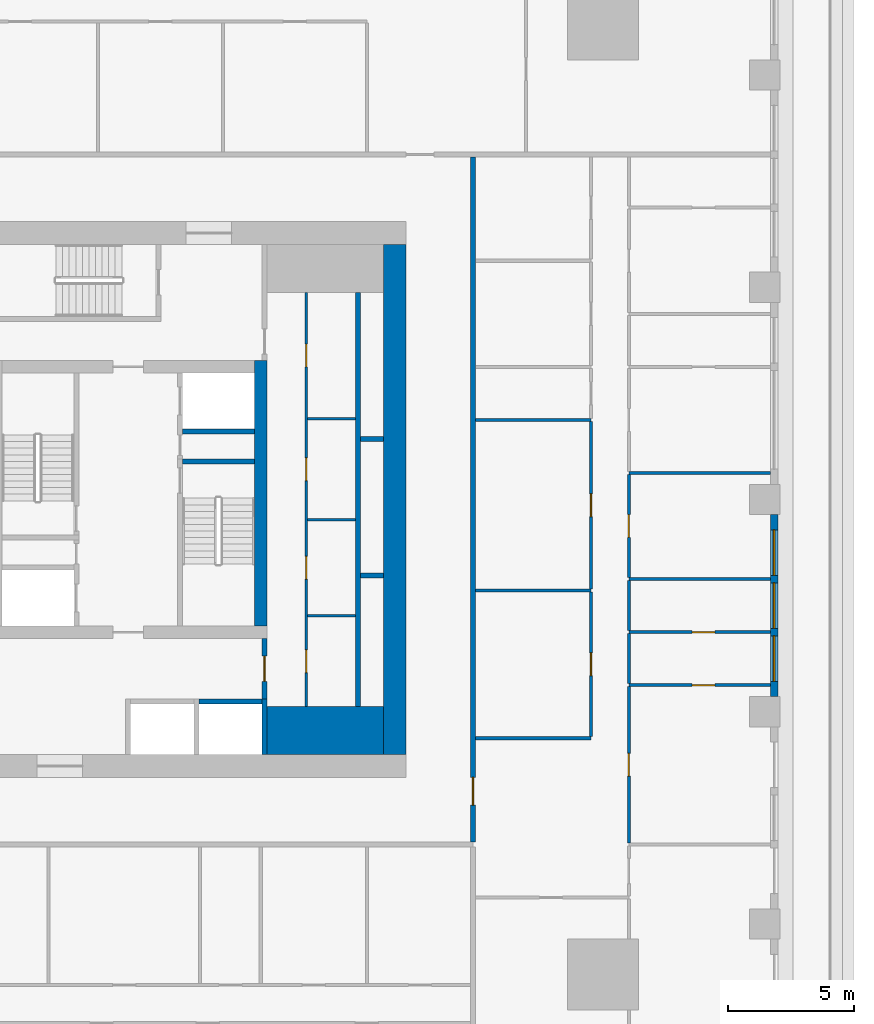
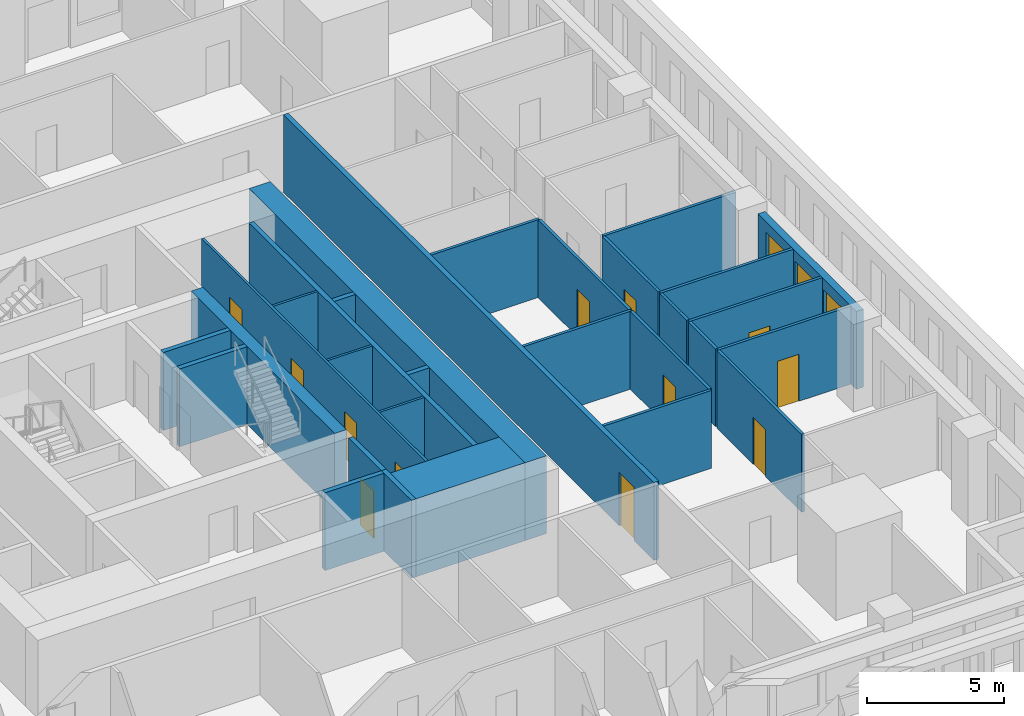
# One storey, part 5 of 14: 30 walls, 12 doors, 3 windows, 15 openings.
"""IFC4 building model written with IfcOpenShell, lengths in metres."""

from ifc_helpers import new_model, si_unit, direction, frame, frame_2d, origin, place, context, subcontext, project, spatial, rectangle, extrude, material, layer, layer_set, type_object, element, fill, save


model = new_model("IFC4")

# Units and contexts
model_context = context("Model", 3, precision=1e-05, world=origin(), true_north=direction((0.0, 1.0)))
body_context = subcontext(model_context, "Body", "Model", "MODEL_VIEW")
ifc_project = project(units=[si_unit("LENGTHUNIT", "METRE"), si_unit("AREAUNIT", "SQUARE_METRE"), si_unit("VOLUMEUNIT", "CUBIC_METRE"), si_unit("PLANEANGLEUNIT", "RADIAN"), si_unit("MASSUNIT", "GRAM", prefix="KILO")], contexts=[model_context])

# Site, building, storey
site_placement = place(None, origin())
site = spatial("IfcSite", under=ifc_project, at=site_placement, CompositionType="ELEMENT")
building_placement = place(site_placement, origin())
building = spatial("IfcBuilding", under=site, at=building_placement, Name="Khepri Terraces", CompositionType="ELEMENT")
storey_placement = place(building_placement, frame((0.0, 0.0, 114.300048828125)))
storey = spatial("IfcBuildingStorey", under=building, at=storey_placement, Name="L27", CompositionType="ELEMENT", Elevation=114.300048828125)

# Walls
ifc_material_1 = material(Name="Concrete C70/85", Category="concrete")
ifc_layer_1 = layer(ifc_material_1, 1.89990234375, Name="Concrete C70/85", Category="concrete")
ifc_layer_set_1 = layer_set([ifc_layer_1], Name="Concrete C70/85")
wall_type_1 = type_object("IfcWallType", Name="Core wall 1900 C70/85", PredefinedType="SHEAR", material=ifc_layer_set_1)
wall_1_placement = place(storey_placement, frame((5.5, -9.14990234375, 0.0), z_axis=(0.0, 0.0, 1.0), x_axis=(1.0, 0.0, 0.0)))
element("IfcWall", 1, at=wall_1_placement, inside=storey, type_object=wall_type_1, Name="Core wall PR02 L27", PredefinedType="SHEAR", context=body_context, shape_type="SweptSolid", body=[
    extrude(rectangle(XDim=4.60009765625, YDim=1.89990234375, at=frame_2d((2.300048828125, 0.0))), origin(), (0.0, 0.0, 1.0), 3.47998046875),
])
ifc_layer_2 = layer(ifc_material_1, 0.199951171875, Name="Concrete C70/85", Category="concrete")
ifc_layer_set_2 = layer_set([ifc_layer_2], Name="Concrete C70/85")
wall_type_2 = type_object("IfcWallType", Name="Core wall 200 C70/85", PredefinedType="SHEAR", material=ifc_layer_set_2)
wall_2_placement = place(storey_placement, frame((2.14990234375, 1.5, 0.0), z_axis=(0.0, 0.0, 1.0), x_axis=(1.0, 0.0, 0.0)))
element("IfcWall", 2, at=wall_2_placement, inside=storey, type_object=wall_type_2, Name="Core wall ST04 L27", PredefinedType="SHEAR", context=body_context, shape_type="SweptSolid", body=[
    extrude(rectangle(XDim=2.85009765625, YDim=0.199951171875, at=frame_2d((1.425048828125, 0.0))), origin(), (0.0, 0.0, 1.0), 3.47998046875),
])
wall_3_placement = place(storey_placement, frame((5.39990234375, -10.10009765625, 0.0), z_axis=(0.0, 0.0, 1.0), x_axis=(0.0, 1.0, 0.0)))
element("IfcWall", 3, at=wall_3_placement, inside=storey, type_object=wall_type_2, Name="Core wall SH03 L27", PredefinedType="SHEAR", context=body_context, shape_type="SweptSolid", body=[
    extrude(rectangle(XDim=2.2001953125, YDim=0.199951171875, at=frame_2d((1.10009765625, 0.0))), origin(), (0.0, 0.0, 1.0), 3.47998046875),
])
wall_4_placement = place(storey_placement, frame((9.10009765625, -8.199951171875, 0.0), z_axis=(0.0, 0.0, 1.0), x_axis=(0.0, 1.0, 0.0)))
element("IfcWall", 4, at=wall_4_placement, inside=storey, type_object=wall_type_2, Name="Core wall SH05 L27", PredefinedType="SHEAR", context=body_context, shape_type="SweptSolid", body=[
    extrude(rectangle(XDim=16.39990234375, YDim=0.199951171875, at=frame_2d((8.199951171875, 0.0))), origin(), (0.0, 0.0, 1.0), 3.47998046875),
])
wall_5_placement = place(storey_placement, frame((2.800048828125, -8.0, 0.0), z_axis=(0.0, 0.0, 1.0), x_axis=(1.0, 0.0, 0.0)))
element("IfcWall", 5, at=wall_5_placement, inside=storey, type_object=wall_type_2, Name="Core wall SH07 L27", PredefinedType="SHEAR", context=body_context, shape_type="SweptSolid", body=[
    extrude(rectangle(XDim=2.5, YDim=0.199951171875, at=frame_2d((1.25, 0.0))), origin(), (0.0, 0.0, 1.0), 3.47998046875),
])
for number, where, z_axis, x_axis, name in (
    (6, (9.199951171875, -3.0, 0.0), (0.0, 0.0, 1.0), (1.0, 0.0, 0.0), "Core wall SH11 L27"),
    (7, (9.199951171875, 2.39990234375, 0.0), (0.0, 0.0, 1.0), (1.0, 0.0, 0.0), "Core wall SH16 L27"),
):
    element("IfcWall", number, at=place(storey_placement, frame(where, z_axis=z_axis, x_axis=x_axis)), inside=storey, type_object=wall_type_2, Name=name, PredefinedType="SHEAR", context=body_context, shape_type="SweptSolid", body=[
        extrude(rectangle(XDim=0.900146484375, YDim=0.199951171875, at=frame_2d((0.4501953125, 0.0))), origin(), (0.0, 0.0, 1.0), 3.47998046875),
    ])
wall_6_placement = place(storey_placement, frame((2.14990234375, 2.699951171875, 0.0), z_axis=(0.0, 0.0, 1.0), x_axis=(1.0, 0.0, 0.0)))
element("IfcWall", 8, at=wall_6_placement, inside=storey, type_object=wall_type_2, Name="Core wall SH18 L27", PredefinedType="SHEAR", context=body_context, shape_type="SweptSolid", body=[
    extrude(rectangle(XDim=2.85009765625, YDim=0.199951171875, at=frame_2d((1.425048828125, 0.0))), origin(), (0.0, 0.0, 1.0), 3.47998046875),
])
ifc_layer_3 = layer(ifc_material_1, 0.5, Name="Concrete C70/85", Category="concrete")
ifc_layer_set_3 = layer_set([ifc_layer_3], Name="Concrete C70/85")
wall_type_3 = type_object("IfcWallType", Name="Core wall 500 C70/85", PredefinedType="SHEAR", material=ifc_layer_set_3)
wall_7_placement = place(storey_placement, frame((5.25, -5.0, 0.0), z_axis=(0.0, 0.0, 1.0), x_axis=(0.0, 1.0, 0.0)))
element("IfcWall", 9, at=wall_7_placement, inside=storey, type_object=wall_type_3, Name="Core wall BX03 L27", PredefinedType="SHEAR", context=body_context, shape_type="SweptSolid", body=[
    extrude(rectangle(XDim=10.5, YDim=0.5, at=frame_2d((5.25, 0.0))), origin(), (0.0, 0.0, 1.0), 3.47998046875),
])
ifc_layer_4 = layer(ifc_material_1, 0.89990234375, Name="Concrete C70/85", Category="concrete")
ifc_layer_set_4 = layer_set([ifc_layer_4], Name="Concrete C70/85")
wall_type_4 = type_object("IfcWallType", Name="Core wall 900 C70/85", PredefinedType="SHEAR", material=ifc_layer_set_4)
wall_8_placement = place(storey_placement, frame((10.550048828125, -10.10009765625, 0.0), z_axis=(0.0, 0.0, 1.0), x_axis=(0.0, 1.0, 0.0)))
element("IfcWall", 10, at=wall_8_placement, inside=storey, type_object=wall_type_4, Name="Core wall OW-E L27", PredefinedType="SHEAR", context=body_context, shape_type="SweptSolid", body=[
    extrude(rectangle(XDim=20.2001953125, YDim=0.89990234375, at=frame_2d((10.10009765625, 0.0))), origin(), (0.0, 0.0, 1.0), 3.47998046875),
])

# Wall, openings, doors
ifc_material_2 = material(Name="Fire-rated gypsum board partition")
ifc_layer_5 = layer(ifc_material_2, 0.10009765625, Name="Fire-rated gypsum board partition")
ifc_layer_set_5 = layer_set([ifc_layer_5], Name="Fire-rated gypsum board partition")
wall_type_5 = type_object("IfcWallType", Name="WL-CORE-PART-100", PredefinedType="PARTITIONING", material=ifc_layer_set_5)
wall_9_placement = place(storey_placement, frame((7.050048828125, -8.199951171875, 0.0), z_axis=(0.0, 0.0, 1.0), x_axis=(0.0, 1.0, 0.0)))
wall_9 = element("IfcWall", 11, at=wall_9_placement, inside=storey, type_object=wall_type_5, Name="Core partition PT02 L27", PredefinedType="PARTITIONING", context=body_context, shape_type="SweptSolid", body=[
    extrude(rectangle(XDim=16.39990234375, YDim=0.10009765625, at=frame_2d((8.199951171875, 0.0))), origin(), (0.0, 0.0, 1.0), 3.47998046875),
])
opening_1_placement = place(wall_9_placement, frame((1.35009765625, 0.0, 0.0)))
opening_1 = element("IfcOpeningElement", 12, at=opening_1_placement, cuts=wall_9, Name="Opening L27-C22", PredefinedType="OPENING", context=body_context, shape_type="SweptSolid", body=[
    extrude(rectangle(XDim=0.89990234375, YDim=2.10009765625, at=frame_2d((0.449951171875, 1.050048828125))), frame((0.0, 0.06005859375, 0.0), z_axis=(0.0, -1.0, 0.0), x_axis=(1.0, 0.0, 0.0)), (0.0, 0.0, 1.0), 0.1201171875),
])
opening_2_placement = place(wall_9_placement, frame((5.050048828125, 0.0, 0.0)))
opening_2 = element("IfcOpeningElement", 13, at=opening_2_placement, cuts=wall_9, Name="Opening L27-C23", PredefinedType="OPENING", context=body_context, shape_type="SweptSolid", body=[
    extrude(rectangle(XDim=0.89990234375, YDim=2.10009765625, at=frame_2d((0.449951171875, 1.050048828125))), frame((0.0, 0.06005859375, 0.0), z_axis=(0.0, -1.0, 0.0), x_axis=(1.0, 0.0, 0.0)), (0.0, 0.0, 1.0), 0.1201171875),
])
opening_3_placement = place(wall_9_placement, frame((8.949951171875, 0.0, 0.0)))
opening_3 = element("IfcOpeningElement", 14, at=opening_3_placement, cuts=wall_9, Name="Opening L27-C24", PredefinedType="OPENING", context=body_context, shape_type="SweptSolid", body=[
    extrude(rectangle(XDim=0.89990234375, YDim=2.10009765625, at=frame_2d((0.449951171875, 1.050048828125))), frame((0.0, 0.06005859375, 0.0), z_axis=(0.0, -1.0, 0.0), x_axis=(1.0, 0.0, 0.0)), (0.0, 0.0, 1.0), 0.1201171875),
])
opening_4_placement = place(wall_9_placement, frame((13.449951171875, 0.0, 0.0)))
opening_4 = element("IfcOpeningElement", 15, at=opening_4_placement, cuts=wall_9, Name="Opening L27-C25", PredefinedType="OPENING", context=body_context, shape_type="SweptSolid", body=[
    extrude(rectangle(XDim=0.89990234375, YDim=2.10009765625, at=frame_2d((0.449951171875, 1.050048828125))), frame((0.0, 0.06005859375, 0.0), z_axis=(0.0, -1.0, 0.0), x_axis=(1.0, 0.0, 0.0)), (0.0, 0.0, 1.0), 0.1201171875),
])
ifc_material_3 = material(Name="Painted steel", Category="steel")
door_type_1 = type_object("IfcDoorType", Name="DR-CORE-SERVICE-900", OperationType="NOTDEFINED", PredefinedType="DOOR", material=ifc_material_3)
door_1_placement = place(opening_1_placement, frame((0.89990234375, 0.0, 0.0), z_axis=(0.0, 0.0, 1.0), x_axis=(-1.0, 0.0, 0.0)))
door_1 = element("IfcDoor", 16, at=door_1_placement, inside=storey, type_object=door_type_1, Name="Service room door L27-C22", OperationType="SINGLE_SWING_RIGHT", OverallHeight=2.10009765625, OverallWidth=0.89990234375, PredefinedType="DOOR", context=body_context, shape_type="SweptSolid", body=[
    extrude(rectangle(XDim=0.89990234375, YDim=2.10009765625, at=frame_2d((0.449951171875, 1.050048828125))), frame((0.0, 0.02490234375, 0.0), z_axis=(0.0, -1.0, 0.0), x_axis=(1.0, 0.0, 0.0)), (0.0, 0.0, 1.0), 0.050048828125),
])
fill(opening_1, door_1)
door_2_placement = place(opening_2_placement, frame((0.89990234375, 0.0, 0.0), z_axis=(0.0, 0.0, 1.0), x_axis=(-1.0, 0.0, 0.0)))
door_2 = element("IfcDoor", 17, at=door_2_placement, inside=storey, type_object=door_type_1, Name="Service room door L27-C23", OperationType="SINGLE_SWING_RIGHT", OverallHeight=2.10009765625, OverallWidth=0.89990234375, PredefinedType="DOOR", context=body_context, shape_type="SweptSolid", body=[
    extrude(rectangle(XDim=0.89990234375, YDim=2.10009765625, at=frame_2d((0.449951171875, 1.050048828125))), frame((0.0, 0.02490234375, 0.0), z_axis=(0.0, -1.0, 0.0), x_axis=(1.0, 0.0, 0.0)), (0.0, 0.0, 1.0), 0.050048828125),
])
fill(opening_2, door_2)
door_3_placement = place(opening_3_placement, frame((0.89990234375, 0.0, 0.0), z_axis=(0.0, 0.0, 1.0), x_axis=(-1.0, 0.0, 0.0)))
door_3 = element("IfcDoor", 18, at=door_3_placement, inside=storey, type_object=door_type_1, Name="Service room door L27-C24", OperationType="SINGLE_SWING_LEFT", OverallHeight=2.10009765625, OverallWidth=0.89990234375, PredefinedType="DOOR", context=body_context, shape_type="SweptSolid", body=[
    extrude(rectangle(XDim=0.89990234375, YDim=2.10009765625, at=frame_2d((0.449951171875, 1.050048828125))), frame((0.0, 0.02490234375, 0.0), z_axis=(0.0, -1.0, 0.0), x_axis=(1.0, 0.0, 0.0)), (0.0, 0.0, 1.0), 0.050048828125),
])
fill(opening_3, door_3)
door_4_placement = place(opening_4_placement, frame((0.89990234375, 0.0, 0.0), z_axis=(0.0, 0.0, 1.0), x_axis=(-1.0, 0.0, 0.0)))
door_4 = element("IfcDoor", 19, at=door_4_placement, inside=storey, type_object=door_type_1, Name="Service room door L27-C25", OperationType="SINGLE_SWING_LEFT", OverallHeight=2.10009765625, OverallWidth=0.89990234375, PredefinedType="DOOR", context=body_context, shape_type="SweptSolid", body=[
    extrude(rectangle(XDim=0.89990234375, YDim=2.10009765625, at=frame_2d((0.449951171875, 1.050048828125))), frame((0.0, 0.02490234375, 0.0), z_axis=(0.0, -1.0, 0.0), x_axis=(1.0, 0.0, 0.0)), (0.0, 0.0, 1.0), 0.050048828125),
])
fill(opening_4, door_4)

# Walls
for number, where, z_axis, x_axis, name in (
    (20, (7.10009765625, -4.60009765625, 0.0), (0.0, 0.0, 1.0), (1.0, 0.0, 0.0), "Core partition PT04 L27"),
    (21, (7.10009765625, -0.800048828125, 0.0), (0.0, 0.0, 1.0), (1.0, 0.0, 0.0), "Core partition PT05 L27"),
    (22, (7.10009765625, 3.199951171875, 0.0), (0.0, 0.0, 1.0), (1.0, 0.0, 0.0), "Core partition PT06 L27"),
):
    element("IfcWall", number, at=place(storey_placement, frame(where, z_axis=z_axis, x_axis=x_axis)), inside=storey, type_object=wall_type_5, Name=name, PredefinedType="PARTITIONING", context=body_context, shape_type="SweptSolid", body=[
        extrude(rectangle(XDim=1.89990234375, YDim=0.10009765625, at=frame_2d((0.949951171875, 0.0))), origin(), (0.0, 0.0, 1.0), 3.47998046875),
    ])

# Wall, opening, door
ifc_layer_6 = layer(ifc_material_2, 0.199951171875, Name="Fire-rated gypsum board partition")
ifc_layer_set_6 = layer_set([ifc_layer_6], Name="Fire-rated gypsum board partition")
wall_type_6 = type_object("IfcWallType", Name="WL-CORE-PART-200", PredefinedType="PARTITIONING", material=ifc_layer_set_6)
wall_10_placement = place(storey_placement, frame((5.39990234375, -7.89990234375, 0.0), z_axis=(0.0, 0.0, 1.0), x_axis=(0.0, 1.0, 0.0)))
wall_10 = element("IfcWall", 23, at=wall_10_placement, inside=storey, type_object=wall_type_6, Name="Core partition PT03 L27", PredefinedType="PARTITIONING", context=body_context, shape_type="SweptSolid", body=[
    extrude(rectangle(XDim=2.39990234375, YDim=0.199951171875, at=frame_2d((1.199951171875, 0.0))), origin(), (0.0, 0.0, 1.0), 3.47998046875),
])
opening_5_placement = place(wall_10_placement, frame((0.699951171875, 0.0, 0.0)))
opening_5 = element("IfcOpeningElement", 24, at=opening_5_placement, cuts=wall_10, Name="Opening L27-C19", PredefinedType="OPENING", context=body_context, shape_type="SweptSolid", body=[
    extrude(rectangle(XDim=1.0, YDim=2.10009765625, at=frame_2d((0.5, 1.050048828125))), frame((0.0, 0.10986328125, 0.0), z_axis=(0.0, -1.0, 0.0), x_axis=(1.0, 0.0, 0.0)), (0.0, 0.0, 1.0), 0.219970703125),
])
door_type_2 = type_object("IfcDoorType", Name="DR-CORE-LOBBY-1000", OperationType="NOTDEFINED", PredefinedType="DOOR", material=ifc_material_3)
door_5_placement = place(opening_5_placement, origin())
door_5 = element("IfcDoor", 25, at=door_5_placement, inside=storey, type_object=door_type_2, Name="Lobby door L27-C19", OperationType="SINGLE_SWING_RIGHT", OverallHeight=2.10009765625, OverallWidth=1.0, PredefinedType="DOOR", context=body_context, shape_type="SweptSolid", body=[
    extrude(rectangle(XDim=1.0, YDim=2.10009765625, at=frame_2d((0.5, 1.050048828125))), frame((0.0, 0.02490234375, 0.0), z_axis=(0.0, -1.0, 0.0), x_axis=(1.0, 0.0, 0.0)), (0.0, 0.0, 1.0), 0.050048828125),
])
fill(opening_5, door_5)

ifc_material_4 = material(Name="Fire-rated gypsum plasterboard partition, mineral wool")
ifc_layer_7 = layer(ifc_material_4, 0.199951171875, Name="Fire-rated gypsum plasterboard partition, mineral wool")
ifc_layer_set_7 = layer_set([ifc_layer_7], Name="Fire-rated gypsum plasterboard partition, mineral wool")
wall_type_7 = type_object("IfcWallType", Name="WL-CORR-200", PredefinedType="PARTITIONING", material=ifc_layer_set_7)
wall_11_placement = place(storey_placement, frame((13.64990234375, -13.550048828125, 0.0), z_axis=(0.0, 0.0, 1.0), x_axis=(0.0, 1.0, 0.0)))
wall_11 = element("IfcWall", 26, at=wall_11_placement, inside=storey, type_object=wall_type_7, Name="Partition P-027 L27", PredefinedType="PARTITIONING", context=body_context, shape_type="SweptSolid", body=[
    extrude(rectangle(XDim=27.10009765625, YDim=0.199951171875, at=frame_2d((13.550048828125, 0.0))), origin(), (0.0, 0.0, 1.0), 3.47998046875),
])
opening_6_placement = place(wall_11_placement, frame((1.449951171875, 0.0, 0.0)))
opening_6 = element("IfcOpeningElement", 27, at=opening_6_placement, cuts=wall_11, Name="Opening D1", PredefinedType="OPENING", context=body_context, shape_type="SweptSolid", body=[
    extrude(rectangle(XDim=1.10009765625, YDim=2.39990234375, at=frame_2d((0.550048828125, 1.199951171875))), frame((0.0, 0.10986328125, 0.0), z_axis=(0.0, -1.0, 0.0), x_axis=(1.0, 0.0, 0.0)), (0.0, 0.0, 1.0), 0.219970703125),
])
ifc_material_5 = material(Name="Solid-core timber door leaf, flat entrance door", Category="wood")
door_type_3 = type_object("IfcDoorType", Name="DR-ENT-1100", OperationType="NOTDEFINED", PredefinedType="DOOR", material=ifc_material_5)
door_6_placement = place(opening_6_placement, frame((1.10009765625, 0.0, 0.0), z_axis=(0.0, 0.0, 1.0), x_axis=(-1.0, 0.0, 0.0)))
door_6 = element("IfcDoor", 28, at=door_6_placement, inside=storey, type_object=door_type_3, Name="Flat B1 entrance door", OperationType="SINGLE_SWING_RIGHT", OverallHeight=2.39990234375, OverallWidth=1.10009765625, PredefinedType="DOOR", context=body_context, shape_type="SweptSolid", body=[
    extrude(rectangle(XDim=1.10009765625, YDim=2.39990234375, at=frame_2d((0.550048828125, 1.199951171875))), frame((0.0, 0.02490234375, 0.0), z_axis=(0.0, -1.0, 0.0), x_axis=(1.0, 0.0, 0.0)), (0.0, 0.0, 1.0), 0.050048828125),
])
fill(opening_6, door_6)

# Wall, openings, windows
ifc_material_6 = material(Name="Precast concrete C50/60 warm stone", Category="masonry")
ifc_layer_8 = layer(ifc_material_6, 0.300048828125, Name="Precast concrete C50/60 warm stone", Category="masonry")
ifc_layer_set_8 = layer_set([ifc_layer_8], Name="Precast concrete C50/60 warm stone")
wall_type_8 = type_object("IfcWallType", Name="WL-EXT-PRECAST-300", PredefinedType="STANDARD", material=ifc_layer_set_8)
wall_12_placement = place(storey_placement, frame((25.570068359375, -7.800048828125, 0.0), z_axis=(0.0, 0.0, 1.0), x_axis=(0.0, 1.0, 0.0)))
wall_12 = element("IfcWall", 29, at=wall_12_placement, inside=storey, type_object=wall_type_8, Name="External wall L27 E", PredefinedType="STANDARD", context=body_context, shape_type="SweptSolid", body=[
    extrude(rectangle(XDim=7.199951171875, YDim=0.300048828125, at=frame_2d((3.60009765625, 0.0))), origin(), (0.0, 0.0, 1.0), 3.47998046875),
])
opening_7_placement = place(wall_12_placement, frame((0.60009765625, 0.0, 0.89990234375)))
opening_7 = element("IfcOpeningElement", 30, at=opening_7_placement, cuts=wall_12, Name="Opening W1", PredefinedType="OPENING", context=body_context, shape_type="SweptSolid", body=[
    extrude(rectangle(XDim=1.800048828125, YDim=2.10009765625, at=frame_2d((0.89990234375, 1.050048828125))), frame((0.0, 0.16015625, 0.0), z_axis=(0.0, -1.0, 0.0), x_axis=(1.0, 0.0, 0.0)), (0.0, 0.0, 1.0), 0.320068359375),
])
opening_8_placement = place(wall_12_placement, frame((2.699951171875, 0.0, 0.89990234375)))
opening_8 = element("IfcOpeningElement", 31, at=opening_8_placement, cuts=wall_12, Name="Opening W1", PredefinedType="OPENING", context=body_context, shape_type="SweptSolid", body=[
    extrude(rectangle(XDim=1.800048828125, YDim=2.10009765625, at=frame_2d((0.89990234375, 1.050048828125))), frame((0.0, 0.16015625, 0.0), z_axis=(0.0, -1.0, 0.0), x_axis=(1.0, 0.0, 0.0)), (0.0, 0.0, 1.0), 0.320068359375),
])
opening_9_placement = place(wall_12_placement, frame((4.800048828125, 0.0, 0.89990234375)))
opening_9 = element("IfcOpeningElement", 32, at=opening_9_placement, cuts=wall_12, Name="Opening W1", PredefinedType="OPENING", context=body_context, shape_type="SweptSolid", body=[
    extrude(rectangle(XDim=1.800048828125, YDim=2.10009765625, at=frame_2d((0.89990234375, 1.050048828125))), frame((0.0, 0.16015625, 0.0), z_axis=(0.0, -1.0, 0.0), x_axis=(1.0, 0.0, 0.0)), (0.0, 0.0, 1.0), 0.320068359375),
])
ifc_material_7 = material(Name="Clear glass", Category="glass")
window_type = type_object("IfcWindowType", Name="WIN-RES-1800x2100", PartitioningType="SINGLE_PANEL", PredefinedType="WINDOW", material=ifc_material_7)
window_1_placement = place(opening_7_placement, origin())
window_1 = element("IfcWindow", 33, at=window_1_placement, inside=storey, type_object=window_type, Name="Window L27 E", OverallHeight=2.10009765625, OverallWidth=1.800048828125, PartitioningType="SINGLE_PANEL", PredefinedType="WINDOW", context=body_context, shape_type="SweptSolid", body=[
    extrude(rectangle(XDim=1.800048828125, YDim=2.10009765625, at=frame_2d((0.89990234375, 1.050048828125))), frame((0.0, 0.030029296875, 0.0), z_axis=(0.0, -1.0, 0.0), x_axis=(1.0, 0.0, 0.0)), (0.0, 0.0, 1.0), 0.06005859375),
])
fill(opening_7, window_1)
window_2_placement = place(opening_8_placement, origin())
window_2 = element("IfcWindow", 34, at=window_2_placement, inside=storey, type_object=window_type, Name="Window L27 E", OverallHeight=2.10009765625, OverallWidth=1.800048828125, PartitioningType="SINGLE_PANEL", PredefinedType="WINDOW", context=body_context, shape_type="SweptSolid", body=[
    extrude(rectangle(XDim=1.800048828125, YDim=2.10009765625, at=frame_2d((0.89990234375, 1.050048828125))), frame((0.0, 0.030029296875, 0.0), z_axis=(0.0, -1.0, 0.0), x_axis=(1.0, 0.0, 0.0)), (0.0, 0.0, 1.0), 0.06005859375),
])
fill(opening_8, window_2)
window_3_placement = place(opening_9_placement, origin())
window_3 = element("IfcWindow", 35, at=window_3_placement, inside=storey, type_object=window_type, Name="Window L27 E", OverallHeight=2.10009765625, OverallWidth=1.800048828125, PartitioningType="SINGLE_PANEL", PredefinedType="WINDOW", context=body_context, shape_type="SweptSolid", body=[
    extrude(rectangle(XDim=1.800048828125, YDim=2.10009765625, at=frame_2d((0.89990234375, 1.050048828125))), frame((0.0, 0.030029296875, 0.0), z_axis=(0.0, -1.0, 0.0), x_axis=(1.0, 0.0, 0.0)), (0.0, 0.0, 1.0), 0.06005859375),
])
fill(opening_9, window_3)

# Wall, opening, door
ifc_material_8 = material(Name="Gypsum plasterboard partition")
ifc_layer_9 = layer(ifc_material_8, 0.1201171875, Name="Gypsum plasterboard partition")
ifc_layer_set_9 = layer_set([ifc_layer_9], Name="Gypsum plasterboard partition")
wall_type_9 = type_object("IfcWallType", Name="WL-PART-120", PredefinedType="PARTITIONING", material=ifc_layer_set_9)
wall_13_placement = place(storey_placement, frame((19.820068359375, -13.590087890625, 0.0), z_axis=(0.0, 0.0, 1.0), x_axis=(0.0, 1.0, 0.0)))
wall_13 = element("IfcWall", 36, at=wall_13_placement, inside=storey, type_object=wall_type_9, Name="Partition P-024 L27", PredefinedType="PARTITIONING", context=body_context, shape_type="SweptSolid", body=[
    extrude(rectangle(XDim=6.18017578125, YDim=0.1201171875, at=frame_2d((3.090087890625, 0.0))), origin(), (0.0, 0.0, 1.0), 3.47998046875),
])
opening_10_placement = place(wall_13_placement, frame((2.639892578125, 0.0, 0.0)))
opening_10 = element("IfcOpeningElement", 37, at=opening_10_placement, cuts=wall_13, Name="Opening D3", PredefinedType="OPENING", context=body_context, shape_type="SweptSolid", body=[
    extrude(rectangle(XDim=0.89990234375, YDim=2.10009765625, at=frame_2d((0.449951171875, 1.050048828125))), frame((0.0, 0.070068359375, 0.0), z_axis=(0.0, -1.0, 0.0), x_axis=(1.0, 0.0, 0.0)), (0.0, 0.0, 1.0), 0.14013671875),
])
ifc_material_9 = material(Name="Timber door leaf", Category="wood")
door_type_4 = type_object("IfcDoorType", Name="DR-INT-900", OperationType="NOTDEFINED", PredefinedType="DOOR", material=ifc_material_9)
door_7_placement = place(opening_10_placement, frame((0.89990234375, 0.0, 0.0), z_axis=(0.0, 0.0, 1.0), x_axis=(-1.0, 0.0, 0.0)))
door_7 = element("IfcDoor", 38, at=door_7_placement, inside=storey, type_object=door_type_4, Name="Door Master Bedroom", OperationType="SINGLE_SWING_LEFT", OverallHeight=2.10009765625, OverallWidth=0.89990234375, PredefinedType="DOOR", context=body_context, shape_type="SweptSolid", body=[
    extrude(rectangle(XDim=0.89990234375, YDim=2.10009765625, at=frame_2d((0.449951171875, 1.050048828125))), frame((0.0, 0.02490234375, 0.0), z_axis=(0.0, -1.0, 0.0), x_axis=(1.0, 0.0, 0.0)), (0.0, 0.0, 1.0), 0.050048828125),
])
fill(opening_10, door_7)

# Wall
wall_14_placement = place(storey_placement, frame((13.75, -9.449951171875, 0.0), z_axis=(0.0, 0.0, 1.0), x_axis=(1.0, 0.0, 0.0)))
element("IfcWall", 39, at=wall_14_placement, inside=storey, type_object=wall_type_9, Name="Partition P-030 L27", PredefinedType="PARTITIONING", context=body_context, shape_type="SweptSolid", body=[
    extrude(rectangle(XDim=4.570068359375, YDim=0.1201171875, at=frame_2d((2.28515625, 0.0))), origin(), (0.0, 0.0, 1.0), 3.47998046875),
])

# Wall, opening, door
wall_15_placement = place(storey_placement, frame((18.320068359375, -9.389892578125, 0.0), z_axis=(0.0, 0.0, 1.0), x_axis=(0.0, 1.0, 0.0)))
wall_15 = element("IfcWall", 40, at=wall_15_placement, inside=storey, type_object=wall_type_9, Name="Partition P-031 L27", PredefinedType="PARTITIONING", context=body_context, shape_type="SweptSolid", body=[
    extrude(rectangle(XDim=5.72998046875, YDim=0.1201171875, at=frame_2d((2.864990234375, 0.0))), origin(), (0.0, 0.0, 1.0), 3.47998046875),
])
opening_11_placement = place(wall_15_placement, frame((2.4150390625, 0.0, 0.0)))
opening_11 = element("IfcOpeningElement", 41, at=opening_11_placement, cuts=wall_15, Name="Opening D3", PredefinedType="OPENING", context=body_context, shape_type="SweptSolid", body=[
    extrude(rectangle(XDim=0.89990234375, YDim=2.10009765625, at=frame_2d((0.449951171875, 1.050048828125))), frame((0.0, 0.070068359375, 0.0), z_axis=(0.0, -1.0, 0.0), x_axis=(1.0, 0.0, 0.0)), (0.0, 0.0, 1.0), 0.14013671875),
])
door_8_placement = place(opening_11_placement, origin())
door_8 = element("IfcDoor", 42, at=door_8_placement, inside=storey, type_object=door_type_4, Name="Door Kitchen", OperationType="SINGLE_SWING_RIGHT", OverallHeight=2.10009765625, OverallWidth=0.89990234375, PredefinedType="DOOR", context=body_context, shape_type="SweptSolid", body=[
    extrude(rectangle(XDim=0.89990234375, YDim=2.10009765625, at=frame_2d((0.449951171875, 1.050048828125))), frame((0.0, 0.02490234375, 0.0), z_axis=(0.0, -1.0, 0.0), x_axis=(1.0, 0.0, 0.0)), (0.0, 0.0, 1.0), 0.050048828125),
])
fill(opening_11, door_8)

wall_16_placement = place(storey_placement, frame((19.820068359375, -7.35009765625, 0.0), z_axis=(0.0, 0.0, 1.0), x_axis=(1.0, 0.0, 0.0)))
wall_16 = element("IfcWall", 43, at=wall_16_placement, inside=storey, type_object=wall_type_9, Name="Partition P-034 L27", PredefinedType="PARTITIONING", context=body_context, shape_type="SweptSolid", body=[
    extrude(rectangle(XDim=5.599853515625, YDim=0.1201171875, at=frame_2d((2.7998046875, 0.0))), origin(), (0.0, 0.0, 1.0), 3.47998046875),
])
opening_12_placement = place(wall_16_placement, frame((2.5, 0.0, 0.0)))
opening_12 = element("IfcOpeningElement", 44, at=opening_12_placement, cuts=wall_16, Name="Opening D3", PredefinedType="OPENING", context=body_context, shape_type="SweptSolid", body=[
    extrude(rectangle(XDim=0.89990234375, YDim=2.10009765625, at=frame_2d((0.449951171875, 1.050048828125))), frame((0.0, 0.070068359375, 0.0), z_axis=(0.0, -1.0, 0.0), x_axis=(1.0, 0.0, 0.0)), (0.0, 0.0, 1.0), 0.14013671875),
])
door_9_placement = place(opening_12_placement, origin())
door_9 = element("IfcDoor", 45, at=door_9_placement, inside=storey, type_object=door_type_4, Name="Door Dressing Room", OperationType="SINGLE_SWING_RIGHT", OverallHeight=2.10009765625, OverallWidth=0.89990234375, PredefinedType="DOOR", context=body_context, shape_type="SweptSolid", body=[
    extrude(rectangle(XDim=0.89990234375, YDim=2.10009765625, at=frame_2d((0.449951171875, 1.050048828125))), frame((0.0, 0.02490234375, 0.0), z_axis=(0.0, -1.0, 0.0), x_axis=(1.0, 0.0, 0.0)), (0.0, 0.0, 1.0), 0.050048828125),
])
fill(opening_12, door_9)

# Wall
wall_17_placement = place(storey_placement, frame((19.820068359375, -7.2900390625, 0.0), z_axis=(0.0, 0.0, 1.0), x_axis=(0.0, 1.0, 0.0)))
element("IfcWall", 46, at=wall_17_placement, inside=storey, type_object=wall_type_9, Name="Partition P-035 L27", PredefinedType="PARTITIONING", context=body_context, shape_type="SweptSolid", body=[
    extrude(rectangle(XDim=1.97998046875, YDim=0.1201171875, at=frame_2d((0.989990234375, 0.0))), origin(), (0.0, 0.0, 1.0), 3.47998046875),
])

# Wall, opening, door
wall_18_placement = place(storey_placement, frame((19.820068359375, -5.25, 0.0), z_axis=(0.0, 0.0, 1.0), x_axis=(1.0, 0.0, 0.0)))
wall_18 = element("IfcWall", 47, at=wall_18_placement, inside=storey, type_object=wall_type_9, Name="Partition P-037 L27", PredefinedType="PARTITIONING", context=body_context, shape_type="SweptSolid", body=[
    extrude(rectangle(XDim=5.599853515625, YDim=0.1201171875, at=frame_2d((2.7998046875, 0.0))), origin(), (0.0, 0.0, 1.0), 3.47998046875),
])
opening_13_placement = place(wall_18_placement, frame((2.5, 0.0, 0.0)))
opening_13 = element("IfcOpeningElement", 48, at=opening_13_placement, cuts=wall_18, Name="Opening D4", PredefinedType="OPENING", context=body_context, shape_type="SweptSolid", body=[
    extrude(rectangle(XDim=0.89990234375, YDim=2.10009765625, at=frame_2d((0.449951171875, 1.050048828125))), frame((0.0, 0.070068359375, 0.0), z_axis=(0.0, -1.0, 0.0), x_axis=(1.0, 0.0, 0.0)), (0.0, 0.0, 1.0), 0.14013671875),
])
ifc_material_10 = material(Name="Timber door leaf, moisture resistant", Category="wood")
door_type_5 = type_object("IfcDoorType", Name="DR-WET-900", OperationType="NOTDEFINED", PredefinedType="DOOR", material=ifc_material_10)
door_10_placement = place(opening_13_placement, origin())
door_10 = element("IfcDoor", 49, at=door_10_placement, inside=storey, type_object=door_type_5, Name="Door Bathroom", OperationType="SINGLE_SWING_RIGHT", OverallHeight=2.10009765625, OverallWidth=0.89990234375, PredefinedType="DOOR", context=body_context, shape_type="SweptSolid", body=[
    extrude(rectangle(XDim=0.89990234375, YDim=2.10009765625, at=frame_2d((0.449951171875, 1.050048828125))), frame((0.0, 0.02490234375, 0.0), z_axis=(0.0, -1.0, 0.0), x_axis=(1.0, 0.0, 0.0)), (0.0, 0.0, 1.0), 0.050048828125),
])
fill(opening_13, door_10)

# Walls
wall_19_placement = place(storey_placement, frame((19.820068359375, -5.18994140625, 0.0), z_axis=(0.0, 0.0, 1.0), x_axis=(0.0, 1.0, 0.0)))
element("IfcWall", 50, at=wall_19_placement, inside=storey, type_object=wall_type_9, Name="Partition P-039 L27", PredefinedType="PARTITIONING", context=body_context, shape_type="SweptSolid", body=[
    extrude(rectangle(XDim=1.97998046875, YDim=0.1201171875, at=frame_2d((0.989990234375, 0.0))), origin(), (0.0, 0.0, 1.0), 3.47998046875),
])
wall_20_placement = place(storey_placement, frame((13.75, -3.60009765625, 0.0), z_axis=(0.0, 0.0, 1.0), x_axis=(1.0, 0.0, 0.0)))
element("IfcWall", 51, at=wall_20_placement, inside=storey, type_object=wall_type_9, Name="Partition P-040 L27", PredefinedType="PARTITIONING", context=body_context, shape_type="SweptSolid", body=[
    extrude(rectangle(XDim=4.570068359375, YDim=0.1201171875, at=frame_2d((2.28515625, 0.0))), origin(), (0.0, 0.0, 1.0), 3.47998046875),
])

# Wall, opening, door
wall_21_placement = place(storey_placement, frame((18.320068359375, -3.5400390625, 0.0), z_axis=(0.0, 0.0, 1.0), x_axis=(0.0, 1.0, 0.0)))
wall_21 = element("IfcWall", 52, at=wall_21_placement, inside=storey, type_object=wall_type_9, Name="Partition P-041 L27", PredefinedType="PARTITIONING", context=body_context, shape_type="SweptSolid", body=[
    extrude(rectangle(XDim=6.630126953125, YDim=0.1201171875, at=frame_2d((3.31494140625, 0.0))), origin(), (0.0, 0.0, 1.0), 3.47998046875),
])
opening_14_placement = place(wall_21_placement, frame((2.864990234375, 0.0, 0.0)))
opening_14 = element("IfcOpeningElement", 53, at=opening_14_placement, cuts=wall_21, Name="Opening D3", PredefinedType="OPENING", context=body_context, shape_type="SweptSolid", body=[
    extrude(rectangle(XDim=0.89990234375, YDim=2.10009765625, at=frame_2d((0.449951171875, 1.050048828125))), frame((0.0, 0.070068359375, 0.0), z_axis=(0.0, -1.0, 0.0), x_axis=(1.0, 0.0, 0.0)), (0.0, 0.0, 1.0), 0.14013671875),
])
door_11_placement = place(opening_14_placement, origin())
door_11 = element("IfcDoor", 54, at=door_11_placement, inside=storey, type_object=door_type_4, Name="Door Staff Bedroom", OperationType="SINGLE_SWING_RIGHT", OverallHeight=2.10009765625, OverallWidth=0.89990234375, PredefinedType="DOOR", context=body_context, shape_type="SweptSolid", body=[
    extrude(rectangle(XDim=0.89990234375, YDim=2.10009765625, at=frame_2d((0.449951171875, 1.050048828125))), frame((0.0, 0.02490234375, 0.0), z_axis=(0.0, -1.0, 0.0), x_axis=(1.0, 0.0, 0.0)), (0.0, 0.0, 1.0), 0.050048828125),
])
fill(opening_14, door_11)

# Wall
wall_22_placement = place(storey_placement, frame((19.820068359375, -3.14990234375, 0.0), z_axis=(0.0, 0.0, 1.0), x_axis=(1.0, 0.0, 0.0)))
element("IfcWall", 55, at=wall_22_placement, inside=storey, type_object=wall_type_9, Name="Partition P-042 L27", PredefinedType="PARTITIONING", context=body_context, shape_type="SweptSolid", body=[
    extrude(rectangle(XDim=5.599853515625, YDim=0.1201171875, at=frame_2d((2.7998046875, 0.0))), origin(), (0.0, 0.0, 1.0), 3.47998046875),
])

# Wall, opening, door
wall_23_placement = place(storey_placement, frame((19.820068359375, -3.090087890625, 0.0), z_axis=(0.0, 0.0, 1.0), x_axis=(0.0, 1.0, 0.0)))
wall_23 = element("IfcWall", 56, at=wall_23_placement, inside=storey, type_object=wall_type_9, Name="Partition P-043 L27", PredefinedType="PARTITIONING", context=body_context, shape_type="SweptSolid", body=[
    extrude(rectangle(XDim=4.080078125, YDim=0.1201171875, at=frame_2d((2.0400390625, 0.0))), origin(), (0.0, 0.0, 1.0), 3.47998046875),
])
opening_15_placement = place(wall_23_placement, frame((1.590087890625, 0.0, 0.0)))
opening_15 = element("IfcOpeningElement", 57, at=opening_15_placement, cuts=wall_23, Name="Opening D3", PredefinedType="OPENING", context=body_context, shape_type="SweptSolid", body=[
    extrude(rectangle(XDim=0.89990234375, YDim=2.10009765625, at=frame_2d((0.449951171875, 1.050048828125))), frame((0.0, 0.070068359375, 0.0), z_axis=(0.0, -1.0, 0.0), x_axis=(1.0, 0.0, 0.0)), (0.0, 0.0, 1.0), 0.14013671875),
])
door_12_placement = place(opening_15_placement, frame((0.89990234375, 0.0, 0.0), z_axis=(0.0, 0.0, 1.0), x_axis=(-1.0, 0.0, 0.0)))
door_12 = element("IfcDoor", 58, at=door_12_placement, inside=storey, type_object=door_type_4, Name="Door Home Office", OperationType="SINGLE_SWING_LEFT", OverallHeight=2.10009765625, OverallWidth=0.89990234375, PredefinedType="DOOR", context=body_context, shape_type="SweptSolid", body=[
    extrude(rectangle(XDim=0.89990234375, YDim=2.10009765625, at=frame_2d((0.449951171875, 1.050048828125))), frame((0.0, 0.02490234375, 0.0), z_axis=(0.0, -1.0, 0.0), x_axis=(1.0, 0.0, 0.0)), (0.0, 0.0, 1.0), 0.050048828125),
])
fill(opening_15, door_12)

# Walls
wall_24_placement = place(storey_placement, frame((19.820068359375, 1.050048828125, 0.0), z_axis=(0.0, 0.0, 1.0), x_axis=(1.0, 0.0, 0.0)))
element("IfcWall", 59, at=wall_24_placement, inside=storey, type_object=wall_type_9, Name="Partition P-045 L27", PredefinedType="PARTITIONING", context=body_context, shape_type="SweptSolid", body=[
    extrude(rectangle(XDim=5.599853515625, YDim=0.1201171875, at=frame_2d((2.7998046875, 0.0))), origin(), (0.0, 0.0, 1.0), 3.47998046875),
])
wall_25_placement = place(storey_placement, frame((13.75, 3.14990234375, 0.0), z_axis=(0.0, 0.0, 1.0), x_axis=(1.0, 0.0, 0.0)))
element("IfcWall", 60, at=wall_25_placement, inside=storey, type_object=wall_type_9, Name="Partition P-047 L27", PredefinedType="PARTITIONING", context=body_context, shape_type="SweptSolid", body=[
    extrude(rectangle(XDim=4.570068359375, YDim=0.1201171875, at=frame_2d((2.28515625, 0.0))), origin(), (0.0, 0.0, 1.0), 3.47998046875),
])

save(model, "model.ifc")
